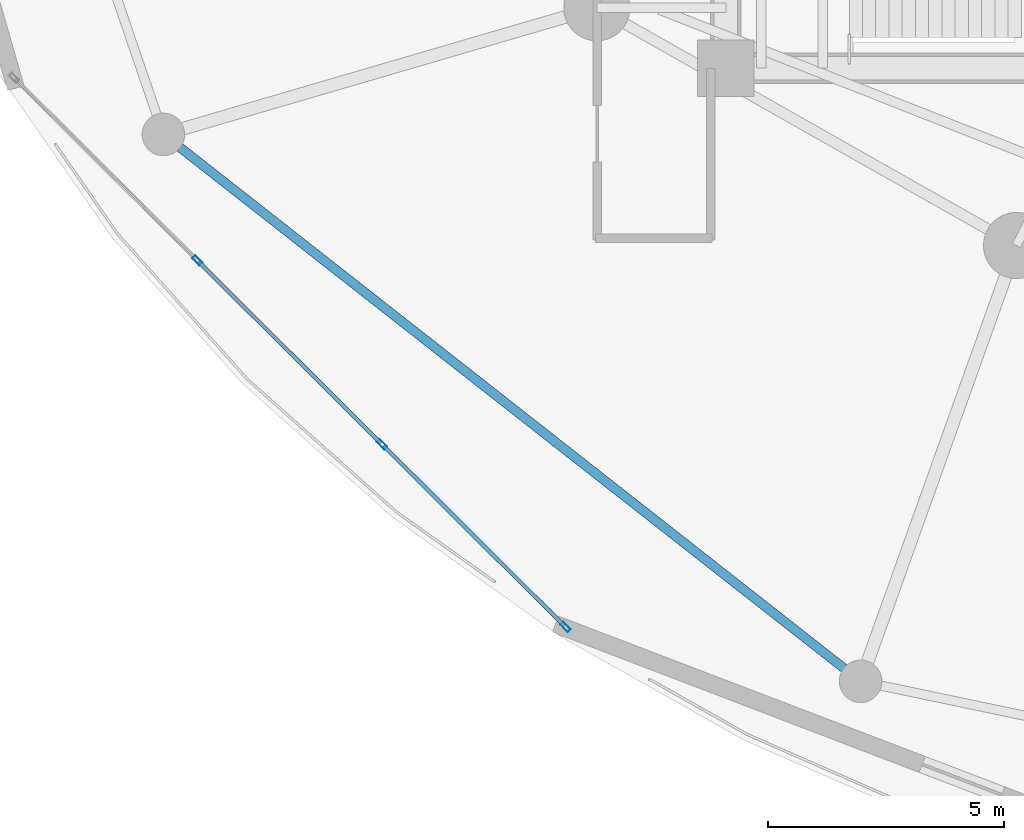
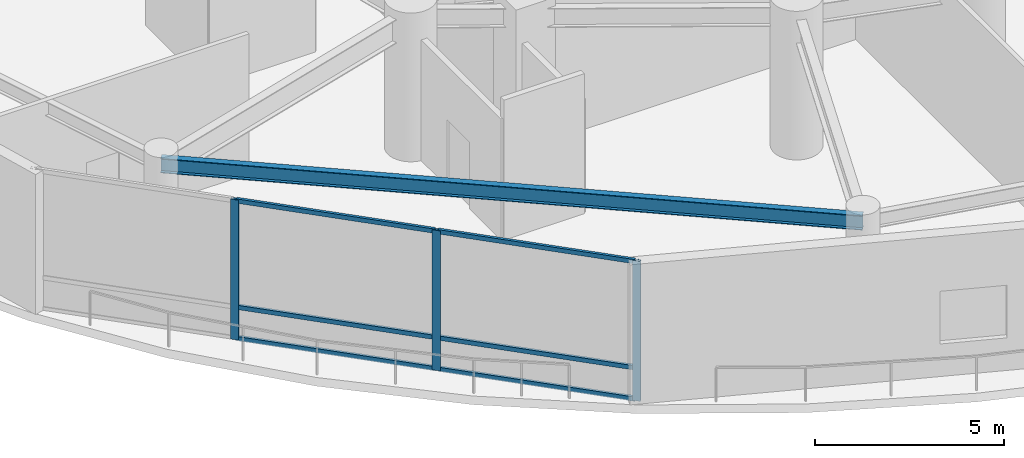
# One storey, part 2 of 40: 9 members, 1 beam, 1 element without a shape of its own.
"""IFC4 building model written with IfcOpenShell, lengths in metres."""

from ifc_helpers import new_model, si_unit, direction, frame, origin, origin_2d, place, context, subcontext, project, spatial, hollow_rectangle, i_section, extrude, material, layer, layer_set, material_profile, profile_set, type_object, element, aggregate, save


model = new_model("IFC4")

# Units and contexts
model_context = context("Model", 3, precision=1e-05, world=origin(), true_north=direction((0.0, 1.0)))
body_context = subcontext(model_context, "Body", "Model", "MODEL_VIEW")
ifc_project = project(units=[si_unit("LENGTHUNIT", "METRE"), si_unit("AREAUNIT", "SQUARE_METRE"), si_unit("VOLUMEUNIT", "CUBIC_METRE"), si_unit("PLANEANGLEUNIT", "RADIAN"), si_unit("MASSUNIT", "GRAM", prefix="KILO")], contexts=[model_context])

# Site, building, storey
site_placement = place(None, origin())
site = spatial("IfcSite", under=ifc_project, at=site_placement, CompositionType="ELEMENT")
building_placement = place(site_placement, origin())
building = spatial("IfcBuilding", under=site, at=building_placement, Name="Kazevale Care Tower and Concert Hall", CompositionType="ELEMENT")
storey_placement = place(building_placement, frame((0.0, 0.0, 4.800048828125)))
storey = spatial("IfcBuildingStorey", under=building, at=storey_placement, Name="L01", CompositionType="ELEMENT", Elevation=4.800048828125)

# Curtain wall, members
ifc_material_1 = material(Name="Aluminium 6063-T6 and Low-E Glass", Category="aluminium")
ifc_layer = layer(ifc_material_1, 0.179931640625)
ifc_layer_set = layer_set([ifc_layer], Name="Aluminium 6063-T6 and Low-E Glass")
curtain_wall_type = type_object("IfcCurtainWallType", Name="Podium Double-Skin Medical Curtain Wall CW-1", PredefinedType="NOTDEFINED", material=ifc_layer_set)
curtain_wall_placement = place(storey_placement, origin())
curtain_wall = element("IfcCurtainWall", 1, at=curtain_wall_placement, inside=storey, type_object=curtain_wall_type, Name="cw:L01:pod:09", PredefinedType="NOTDEFINED")
ifc_material_2 = material(Name="Aluminium 6063-T6", Category="aluminium")
ifc_material_profile_1 = material_profile(ifc_material_2, hollow_rectangle(XDim=0.090087890625, YDim=0.219970703125, WallThickness=0.0048828125, at=origin_2d()), Name="ALU90x220x5")
ifc_profile_set_1 = profile_set([ifc_material_profile_1], Name="Aluminium 6063-T6")
member_type_1 = type_object("IfcMemberType", Name="CW-1 Mullion ALU90x220x5", PredefinedType="MULLION", material=ifc_profile_set_1)
member_1_placement = place(storey_placement, frame((10.817626953125, 19.535400390625, 0.0), z_axis=(0.0, 0.0, 1.0), x_axis=(0.705655814257, 0.708554776856, 0.0)))
member_1 = element("IfcMember", 2, at=member_1_placement, type_object=member_type_1, Name="CW-1 mullion 2", PredefinedType="MULLION", context=body_context, shape_type="SweptSolid", body=[
    extrude(hollow_rectangle(XDim=0.090087890625, YDim=0.219970703125, WallThickness=0.0048828125, at=origin_2d()), origin(), (0.0, 0.0, 1.0), 4.52001953125),
])
member_2_placement = place(storey_placement, frame((14.728271484375, 15.640625, 0.0), z_axis=(0.0, 0.0, 1.0), x_axis=(0.705655814257, 0.708554776856, 0.0)))
member_2 = element("IfcMember", 3, at=member_2_placement, type_object=member_type_1, Name="CW-1 mullion 3", PredefinedType="MULLION", context=body_context, shape_type="SweptSolid", body=[
    extrude(hollow_rectangle(XDim=0.090087890625, YDim=0.219970703125, WallThickness=0.0048828125, at=origin_2d()), origin(), (0.0, 0.0, 1.0), 4.52001953125),
])
member_3_placement = place(storey_placement, frame((18.607177734375, 11.77783203125, 0.0), z_axis=(0.0, 0.0, 1.0), x_axis=(0.705655814257, 0.708554776856, 0.0)))
member_3 = element("IfcMember", 4, at=member_3_placement, type_object=member_type_1, Name="CW-1 mullion 4", PredefinedType="MULLION", context=body_context, shape_type="SweptSolid", body=[
    extrude(hollow_rectangle(XDim=0.090087890625, YDim=0.219970703125, WallThickness=0.0048828125, at=origin_2d()), origin(), (0.0, 0.0, 1.0), 4.52001953125),
])
ifc_material_profile_2 = material_profile(ifc_material_2, hollow_rectangle(XDim=0.080078125, YDim=0.139892578125, WallThickness=0.00390625, at=origin_2d()), Name="ALU80x140x4")
ifc_profile_set_2 = profile_set([ifc_material_profile_2], Name="Aluminium 6063-T6")
member_type_2 = type_object("IfcMemberType", Name="CW-1 Transom ALU80x140x4", PredefinedType="USERDEFINED", material=ifc_profile_set_2)
member_4_placement = place(storey_placement, frame((10.849609375, 19.503662109375, 0.0400390625), z_axis=(0.708544259539, -0.705666374624, 0.0), x_axis=(0.705666374624, 0.708544259539, 0.0)))
member_4 = element("IfcMember", 5, at=member_4_placement, type_object=member_type_2, Name="CW-1 transom 2.1", ObjectType="TRANSOM", PredefinedType="USERDEFINED", context=body_context, shape_type="SweptSolid", body=[
    extrude(hollow_rectangle(XDim=0.080078125, YDim=0.139892578125, WallThickness=0.00390625, at=origin_2d()), origin(), (0.0, 0.0, 1.0), 5.429443359375),
])
member_5_placement = place(storey_placement, frame((10.849609375, 19.503662109375, 1.050048828125), z_axis=(0.708544259539, -0.705666374624, 0.0), x_axis=(0.705666374624, 0.708544259539, 0.0)))
member_5 = element("IfcMember", 6, at=member_5_placement, type_object=member_type_2, Name="CW-1 transom 2.2", ObjectType="TRANSOM", PredefinedType="USERDEFINED", context=body_context, shape_type="SweptSolid", body=[
    extrude(hollow_rectangle(XDim=0.080078125, YDim=0.139892578125, WallThickness=0.00390625, at=origin_2d()), origin(), (0.0, 0.0, 1.0), 5.429443359375),
])
member_6_placement = place(storey_placement, frame((10.849609375, 19.503662109375, 4.47998046875), z_axis=(0.708544259539, -0.705666374624, 0.0), x_axis=(0.705666374624, 0.708544259539, 0.0)))
member_6 = element("IfcMember", 7, at=member_6_placement, type_object=member_type_2, Name="CW-1 transom 2.3", ObjectType="TRANSOM", PredefinedType="USERDEFINED", context=body_context, shape_type="SweptSolid", body=[
    extrude(hollow_rectangle(XDim=0.080078125, YDim=0.139892578125, WallThickness=0.00390625, at=origin_2d()), origin(), (0.0, 0.0, 1.0), 5.429443359375),
])
member_7_placement = place(storey_placement, frame((14.76025390625, 15.60888671875, 0.0400390625), z_axis=(0.708556322862, -0.705654261896, 0.0), x_axis=(0.705654261896, 0.708556322862, 0.0)))
member_7 = element("IfcMember", 8, at=member_7_placement, type_object=member_type_2, Name="CW-1 transom 3.1", ObjectType="TRANSOM", PredefinedType="USERDEFINED", context=body_context, shape_type="SweptSolid", body=[
    extrude(hollow_rectangle(XDim=0.080078125, YDim=0.139892578125, WallThickness=0.00390625, at=origin_2d()), origin(), (0.0, 0.0, 1.0), 5.384033203125),
])
member_8_placement = place(storey_placement, frame((14.76025390625, 15.60888671875, 1.050048828125), z_axis=(0.708556322862, -0.705654261896, 0.0), x_axis=(0.705654261896, 0.708556322862, 0.0)))
member_8 = element("IfcMember", 9, at=member_8_placement, type_object=member_type_2, Name="CW-1 transom 3.2", ObjectType="TRANSOM", PredefinedType="USERDEFINED", context=body_context, shape_type="SweptSolid", body=[
    extrude(hollow_rectangle(XDim=0.080078125, YDim=0.139892578125, WallThickness=0.00390625, at=origin_2d()), origin(), (0.0, 0.0, 1.0), 5.384033203125),
])
member_9_placement = place(storey_placement, frame((14.76025390625, 15.60888671875, 4.47998046875), z_axis=(0.708556322862, -0.705654261896, 0.0), x_axis=(0.705654261896, 0.708556322862, 0.0)))
member_9 = element("IfcMember", 10, at=member_9_placement, type_object=member_type_2, Name="CW-1 transom 3.3", ObjectType="TRANSOM", PredefinedType="USERDEFINED", context=body_context, shape_type="SweptSolid", body=[
    extrude(hollow_rectangle(XDim=0.080078125, YDim=0.139892578125, WallThickness=0.00390625, at=origin_2d()), origin(), (0.0, 0.0, 1.0), 5.384033203125),
])
aggregate(curtain_wall, [member_1, member_2, member_3, member_4, member_5, member_6, member_7, member_8, member_9])

# Beam
ifc_material_3 = material(Name="Steel ASTM A572 Gr 50", Category="steel")
ifc_material_profile_3 = material_profile(ifc_material_3, i_section(OverallWidth=0.194091796875, OverallDepth=0.468994140625, WebThickness=0.0126953125, FlangeThickness=0.0205078125, at=origin_2d()), Name="W460x106")
ifc_profile_set_3 = profile_set([ifc_material_profile_3], Name="Steel ASTM A572 Gr 50")
beam_type = type_object("IfcBeamType", Name="Podium Floor Beam W460x106", PredefinedType="BEAM", material=ifc_profile_set_3)
beam_placement = place(storey_placement, frame((10.10009765625, 22.199951171875, 4.285400390625), z_axis=(0.786816091325, -0.617187522907, 0.0), x_axis=(0.617187522907, 0.786816091325, 0.0)))
element("IfcBeam", 11, at=beam_placement, inside=storey, type_object=beam_type, Name="beam:L01:podring:08", PredefinedType="BEAM", context=body_context, shape_type="SweptSolid", body=[
    extrude(i_section(OverallWidth=0.194091796875, OverallDepth=0.468994140625, WebThickness=0.0126953125, FlangeThickness=0.0205078125, at=origin_2d()), origin(), (0.0, 0.0, 1.0), 18.746337890625),
])

save(model, "model.ifc")
